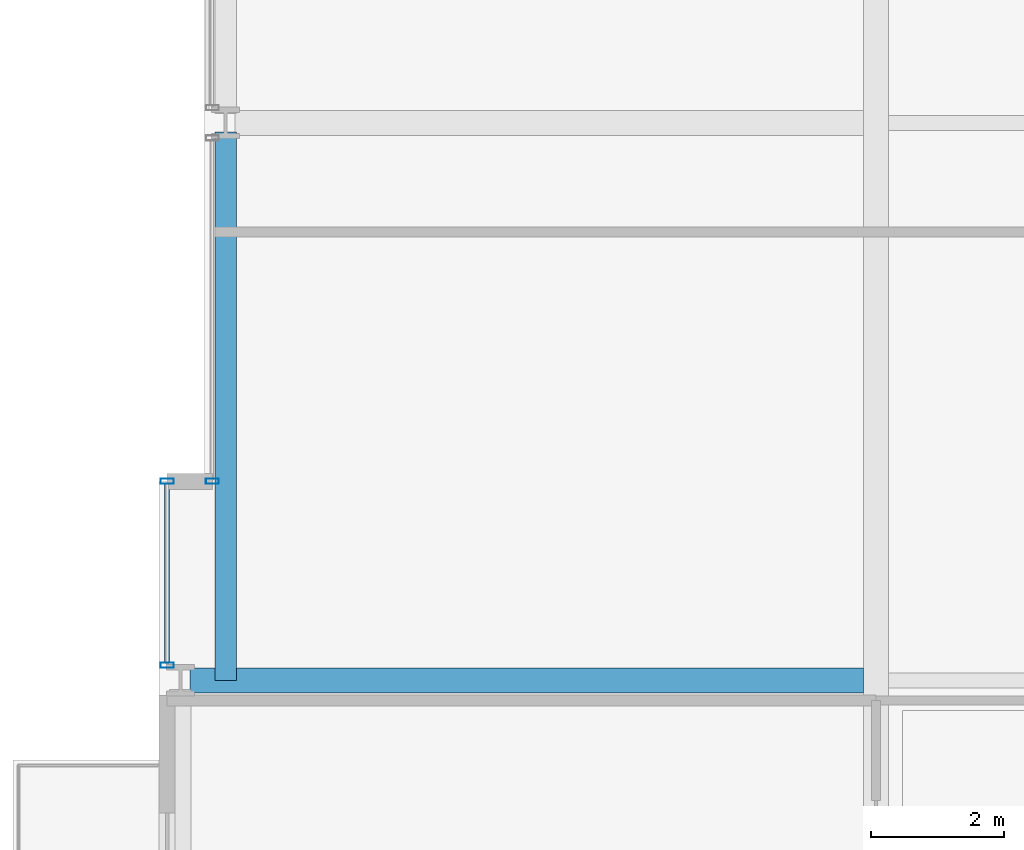
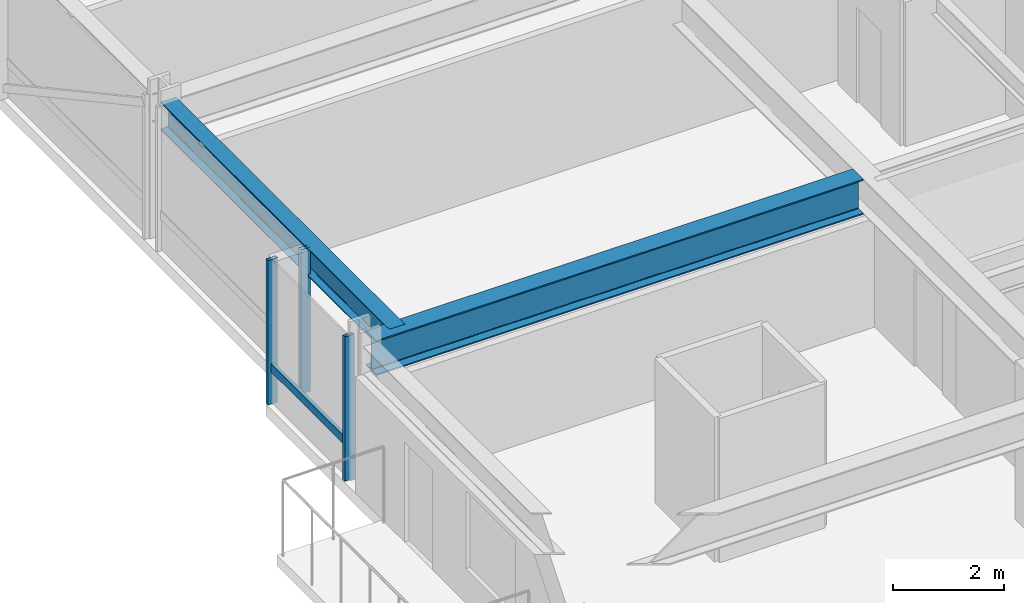
# One storey, part 7 of 37: 4 members, 2 beams, 2 elements without a shape of their own.
"""IFC4 building model written with IfcOpenShell, lengths in metres."""

from ifc_helpers import new_model, si_unit, direction, frame, origin, origin_2d, place, context, subcontext, project, spatial, hollow_rectangle, i_section, extrude, material, layer, layer_set, material_profile, profile_set, type_object, element, aggregate, save


model = new_model("IFC4")

# Units and contexts
model_context = context("Model", 3, precision=1e-05, world=origin(), true_north=direction((0.0, 1.0)))
body_context = subcontext(model_context, "Body", "Model", "MODEL_VIEW")
ifc_project = project(units=[si_unit("LENGTHUNIT", "METRE"), si_unit("AREAUNIT", "SQUARE_METRE"), si_unit("VOLUMEUNIT", "CUBIC_METRE"), si_unit("PLANEANGLEUNIT", "RADIAN"), si_unit("MASSUNIT", "GRAM", prefix="KILO")], contexts=[model_context])

# Site, building, storey
site_placement = place(None, origin())
site = spatial("IfcSite", under=ifc_project, at=site_placement, CompositionType="ELEMENT")
building_placement = place(site_placement, origin())
building = spatial("IfcBuilding", under=site, at=building_placement, Name="Drelvath Grand Hotel", CompositionType="ELEMENT")
storey_placement = place(building_placement, frame((0.0, 0.0, 78.699951171875)))
storey = spatial("IfcBuildingStorey", under=building, at=storey_placement, Name="L19", CompositionType="ELEMENT", Elevation=78.699951171875)

# Curtain wall, members
ifc_material_1 = material(Name="Warm Bronze Anodised Aluminium Frame", Category="aluminium")
ifc_layer = layer(ifc_material_1, 0.199951171875)
ifc_layer_set = layer_set([ifc_layer], Name="Warm Bronze Anodised Aluminium Frame")
curtain_wall_type = type_object("IfcCurtainWallType", Name="Stick Curtain Wall CW-02 Warm Bronze Low-Rise", PredefinedType="NOTDEFINED", material=ifc_layer_set)
curtain_wall_1_placement = place(storey_placement, origin())
curtain_wall_1 = element("IfcCurtainWall", 1, at=curtain_wall_1_placement, inside=storey, type_object=curtain_wall_type, Name="L19 CW-02 Curtain Wall CW02-L19-WS3", PredefinedType="NOTDEFINED")
ifc_material_profile_1 = material_profile(ifc_material_1, hollow_rectangle(XDim=0.074951171875, YDim=0.179931640625, WallThickness=0.0048828125, at=origin_2d()), Name="HSS180X75X5")
ifc_profile_set_1 = profile_set([ifc_material_profile_1], Name="Warm Bronze Anodised Aluminium Frame")
member_type_1 = type_object("IfcMemberType", Name="Curtain Wall Horizontal Transom CW-02 HSS180X75X5", PredefinedType="USERDEFINED", material=ifc_profile_set_1)
member_1_placement = place(storey_placement, frame((-26.8798828125, 18.869140625, 0.795166015625), z_axis=(0.0, 1.0, 0.0), x_axis=(-1.0, 0.0, 0.0)))
member_1 = element("IfcMember", 2, at=member_1_placement, type_object=member_type_1, Name="CW02-L19-WS3 Sill Transom", ObjectType="TRANSOM", PredefinedType="USERDEFINED", context=body_context, shape_type="SweptSolid", body=[
    extrude(hollow_rectangle(XDim=0.074951171875, YDim=0.179931640625, WallThickness=0.0048828125, at=origin_2d()), origin(), (0.0, 0.0, 1.0), 2.69091796875),
])
ifc_material_profile_2 = material_profile(ifc_material_1, hollow_rectangle(XDim=0.080078125, YDim=0.199951171875, WallThickness=0.0048828125, at=origin_2d()), Name="HSS200X80X5")
ifc_profile_set_2 = profile_set([ifc_material_profile_2], Name="Warm Bronze Anodised Aluminium Frame")
member_type_2 = type_object("IfcMemberType", Name="Curtain Wall Vertical Mullion CW-02 HSS200X80X5", PredefinedType="MULLION", material=ifc_profile_set_2)
member_2_placement = place(storey_placement, frame((-26.8798828125, 18.8291015625, 0.0), z_axis=(0.0, 0.0, 1.0), x_axis=(0.0, 1.0, 0.0)))
member_2 = element("IfcMember", 3, at=member_2_placement, type_object=member_type_2, Name="CW02-L19-WS3 Mullion 1", PredefinedType="MULLION", context=body_context, shape_type="SweptSolid", body=[
    extrude(hollow_rectangle(XDim=0.080078125, YDim=0.199951171875, WallThickness=0.0048828125, at=origin_2d()), origin(), (0.0, 0.0, 1.0), 3.179931640625),
])
member_3_placement = place(storey_placement, frame((-26.8798828125, 21.60009765625, 0.0), z_axis=(0.0, 0.0, 1.0), x_axis=(0.0, 1.0, 0.0)))
member_3 = element("IfcMember", 4, at=member_3_placement, type_object=member_type_2, Name="CW02-L19-WS3 Mullion 2", PredefinedType="MULLION", context=body_context, shape_type="SweptSolid", body=[
    extrude(hollow_rectangle(XDim=0.080078125, YDim=0.199951171875, WallThickness=0.0048828125, at=origin_2d()), origin(), (0.0, 0.0, 1.0), 3.179931640625),
])
aggregate(curtain_wall_1, [member_2, member_3, member_1])

# Curtain wall, member
curtain_wall_2_placement = place(storey_placement, origin())
curtain_wall_2 = element("IfcCurtainWall", 5, at=curtain_wall_2_placement, inside=storey, type_object=curtain_wall_type, Name="L19 CW-02 Curtain Wall CW02-L19-WM1", PredefinedType="NOTDEFINED")
member_4_placement = place(storey_placement, frame((-26.199951171875, 21.60009765625, 0.0), z_axis=(0.0, 0.0, 1.0), x_axis=(0.0, 1.0, 0.0)))
member_4 = element("IfcMember", 6, at=member_4_placement, type_object=member_type_2, Name="CW02-L19-WM1 Mullion 1", PredefinedType="MULLION", context=body_context, shape_type="SweptSolid", body=[
    extrude(hollow_rectangle(XDim=0.080078125, YDim=0.199951171875, WallThickness=0.0048828125, at=origin_2d()), origin(), (0.0, 0.0, 1.0), 3.179931640625),
])
aggregate(curtain_wall_2, [member_4])

# Beams
ifc_material_2 = material(Name="Steel ASTM A992 Gr 50", Category="steel")
ifc_material_profile_3 = material_profile(ifc_material_2, i_section(OverallWidth=0.323974609375, OverallDepth=0.611083984375, WebThickness=0.0126953125, FlangeThickness=0.01904296875, FilletRadius=0.02197265625, at=origin_2d()), Name="W24X104")
ifc_profile_set_3 = profile_set([ifc_material_profile_3], Name="Steel ASTM A992 Gr 50")
beam_type_1 = type_object("IfcBeamType", Name="Perimeter Spandrel Beam W24X104", PredefinedType="SPANDREL", material=ifc_profile_set_3)
beam_1_placement = place(storey_placement, frame((-26.0, 18.60009765625, 2.87451171875), z_axis=(0.0, 1.0, 0.0), x_axis=(-1.0, 0.0, 0.0)))
element("IfcBeam", 7, at=beam_1_placement, inside=storey, type_object=beam_type_1, Name="L19 Spandrel West Mid S", PredefinedType="SPANDREL", context=body_context, shape_type="SweptSolid", body=[
    extrude(i_section(OverallWidth=0.323974609375, OverallDepth=0.611083984375, WebThickness=0.0126953125, FlangeThickness=0.01904296875, FilletRadius=0.02197265625, at=origin_2d()), origin(), (0.0, 0.0, 1.0), 8.260009765625),
])
ifc_material_profile_4 = material_profile(ifc_material_2, i_section(OverallWidth=0.380615234375, OverallDepth=0.773193359375, WebThickness=0.0166015625, FlangeThickness=0.027099609375, FilletRadius=0.02490234375, at=origin_2d()), Name="W30X173")
ifc_profile_set_4 = profile_set([ifc_material_profile_4], Name="Steel ASTM A992 Gr 50")
beam_type_2 = type_object("IfcBeamType", Name="Primary Floor Girder W30X173", PredefinedType="BEAM", material=ifc_profile_set_4)
beam_2_placement = place(storey_placement, frame((-26.5400390625, 18.60009765625, 2.79345703125), z_axis=(1.0, 0.0, 0.0), x_axis=(0.0, 1.0, 0.0)))
element("IfcBeam", 8, at=beam_2_placement, inside=storey, type_object=beam_type_2, Name="L19 West Wing Girder D", PredefinedType="BEAM", context=body_context, shape_type="SweptSolid", body=[
    extrude(i_section(OverallWidth=0.380615234375, OverallDepth=0.773193359375, WebThickness=0.0166015625, FlangeThickness=0.027099609375, FilletRadius=0.02490234375, at=origin_2d()), origin(), (0.0, 0.0, 1.0), 10.149658203125),
])

save(model, "model.ifc")
